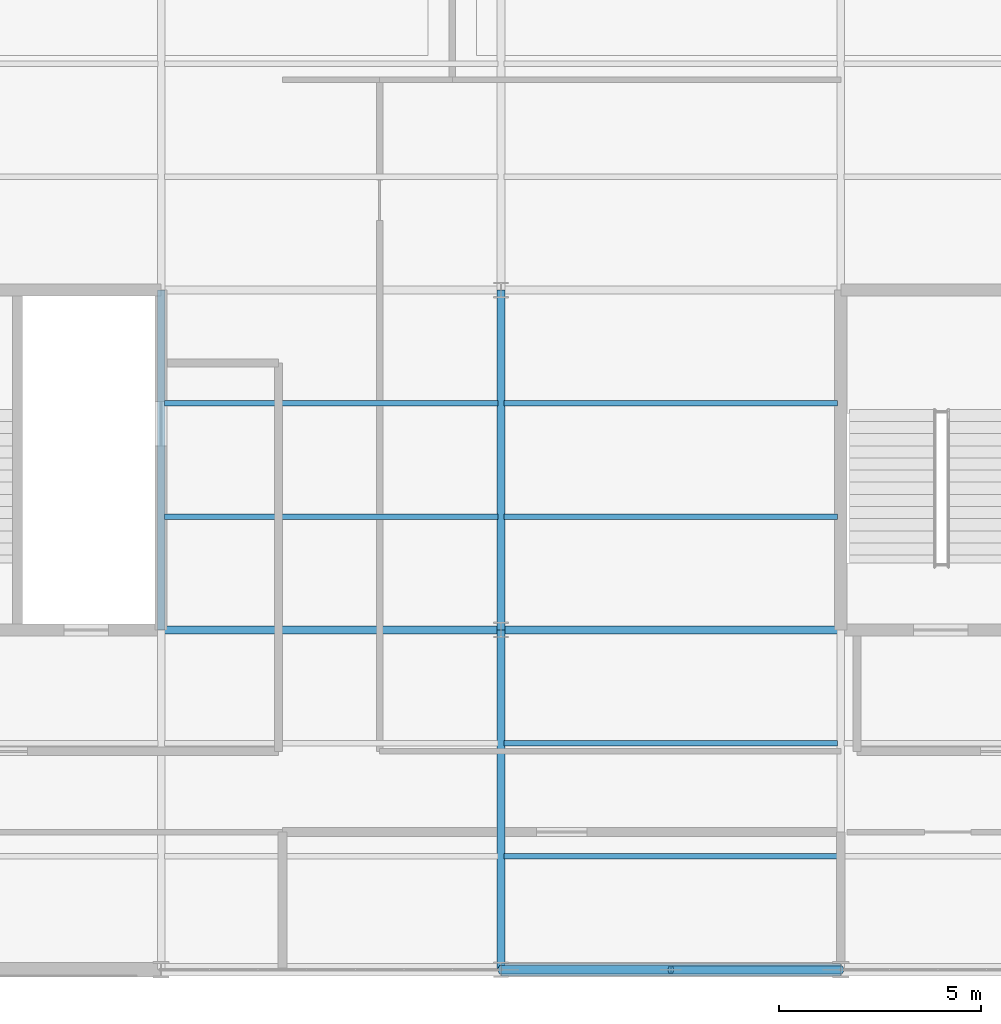
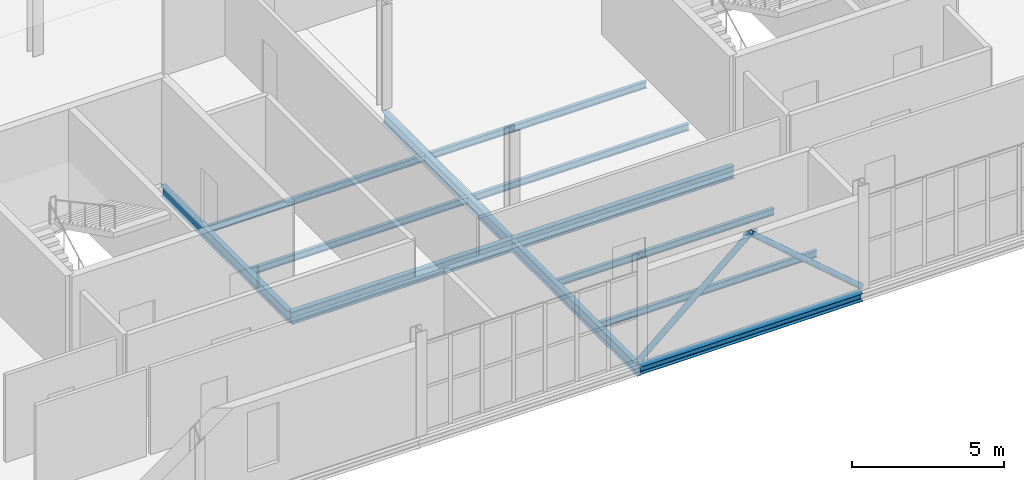
# One storey, part 26 of 184: 12 beams, 2 members.
"""IFC4 building model written with IfcOpenShell, lengths in metres."""

from ifc_helpers import new_model, si_unit, direction, frame, origin, origin_2d, place, context, subcontext, project, spatial, hollow_circle, i_section, extrude, material, material_profile, profile_set, type_object, element, save


model = new_model("IFC4")

# Units and contexts
model_context = context("Model", 3, precision=1e-05, world=origin(), true_north=direction((0.0, 1.0)))
body_context = subcontext(model_context, "Body", "Model", "MODEL_VIEW")
ifc_project = project(units=[si_unit("LENGTHUNIT", "METRE"), si_unit("AREAUNIT", "SQUARE_METRE"), si_unit("VOLUMEUNIT", "CUBIC_METRE"), si_unit("PLANEANGLEUNIT", "RADIAN"), si_unit("MASSUNIT", "GRAM", prefix="KILO")], contexts=[model_context])

# Site, building, storey
site_placement = place(None, origin())
site = spatial("IfcSite", under=ifc_project, at=site_placement, CompositionType="ELEMENT")
building_placement = place(site_placement, origin())
building = spatial("IfcBuilding", under=site, at=building_placement, Name="Qalvenar Corner Mobility Hub", CompositionType="ELEMENT")
storey_placement = place(building_placement, frame((0.0, 0.0, 9.0)))
storey = spatial("IfcBuildingStorey", under=building, at=storey_placement, Name="L02", CompositionType="ELEMENT", Elevation=9.0)

# Beams
ifc_material = material(Name="Steel S355", Category="steel")
ifc_material_profile_1 = material_profile(ifc_material, i_section(OverallWidth=0.18994140625, OverallDepth=0.449951171875, WebThickness=0.009521484375, FlangeThickness=0.0146484375, FilletRadius=0.02099609375, at=origin_2d()), Name="IPE450")
ifc_profile_set_1 = profile_set([ifc_material_profile_1], Name="Steel S355")
beam_type_1 = type_object("IfcBeamType", Name="BM-IPE450", PredefinedType="BEAM", material=ifc_profile_set_1)
beam_1_placement = place(storey_placement, frame((16.800048828125, 8.39990234375, -0.405029296875), z_axis=(0.0, 1.0, 0.0), x_axis=(-1.0, 0.0, 0.0)))
element("IfcBeam", 1, at=beam_1_placement, inside=storey, type_object=beam_type_1, Name="Primary Steel Girder GY-1588", PredefinedType="BEAM", context=body_context, shape_type="SweptSolid", body=[
    extrude(i_section(OverallWidth=0.18994140625, OverallDepth=0.449951171875, WebThickness=0.009521484375, FlangeThickness=0.0146484375, FilletRadius=0.02099609375, at=origin_2d()), origin(), (0.0, 0.0, 1.0), 8.400146484375),
])
beam_2_placement = place(storey_placement, frame((25.199951171875, 0.0, -0.405029296875), z_axis=(0.0, 1.0, 0.0), x_axis=(-1.0, 0.0, 0.0)))
element("IfcBeam", 2, at=beam_2_placement, inside=storey, type_object=beam_type_1, Name="Primary Steel Girder GY-1592", PredefinedType="BEAM", context=body_context, shape_type="SweptSolid", body=[
    extrude(i_section(OverallWidth=0.18994140625, OverallDepth=0.449951171875, WebThickness=0.009521484375, FlangeThickness=0.0146484375, FilletRadius=0.02099609375, at=origin_2d()), origin(), (0.0, 0.0, 1.0), 8.39990234375),
])
beam_3_placement = place(storey_placement, frame((25.199951171875, 8.39990234375, -0.405029296875), z_axis=(0.0, 1.0, 0.0), x_axis=(-1.0, 0.0, 0.0)))
element("IfcBeam", 3, at=beam_3_placement, inside=storey, type_object=beam_type_1, Name="Primary Steel Girder GY-1593", PredefinedType="BEAM", context=body_context, shape_type="SweptSolid", body=[
    extrude(i_section(OverallWidth=0.18994140625, OverallDepth=0.449951171875, WebThickness=0.009521484375, FlangeThickness=0.0146484375, FilletRadius=0.02099609375, at=origin_2d()), origin(), (0.0, 0.0, 1.0), 8.400146484375),
])
ifc_material_profile_2 = material_profile(ifc_material, i_section(OverallWidth=0.199951171875, OverallDepth=0.5, WebThickness=0.01025390625, FlangeThickness=0.01611328125, FilletRadius=0.02099609375, at=origin_2d()), Name="IPE500")
ifc_profile_set_2 = profile_set([ifc_material_profile_2], Name="Steel S355")
beam_type_2 = type_object("IfcBeamType", Name="BM-IPE500", PredefinedType="BEAM", material=ifc_profile_set_2)
beam_4_placement = place(storey_placement, frame((16.800048828125, 8.39990234375, -0.429931640625), z_axis=(1.0, 0.0, 0.0), x_axis=(0.0, 1.0, 0.0)))
element("IfcBeam", 4, at=beam_4_placement, inside=storey, type_object=beam_type_2, Name="Primary Steel Girder GX-1549", PredefinedType="BEAM", context=body_context, shape_type="SweptSolid", body=[
    extrude(i_section(OverallWidth=0.199951171875, OverallDepth=0.5, WebThickness=0.01025390625, FlangeThickness=0.01611328125, FilletRadius=0.02099609375, at=origin_2d()), origin(), (0.0, 0.0, 1.0), 8.39990234375),
])
beam_5_placement = place(storey_placement, frame((25.199951171875, 8.39990234375, -0.429931640625), z_axis=(1.0, 0.0, 0.0), x_axis=(0.0, 1.0, 0.0)))
element("IfcBeam", 5, at=beam_5_placement, inside=storey, type_object=beam_type_2, Name="Primary Steel Girder GX-1550", PredefinedType="BEAM", context=body_context, shape_type="SweptSolid", body=[
    extrude(i_section(OverallWidth=0.199951171875, OverallDepth=0.5, WebThickness=0.01025390625, FlangeThickness=0.01611328125, FilletRadius=0.02099609375, at=origin_2d()), origin(), (0.0, 0.0, 1.0), 8.400146484375),
])
ifc_material_profile_3 = material_profile(ifc_material, i_section(OverallWidth=0.135009765625, OverallDepth=0.27001953125, WebThickness=0.006591796875, FlangeThickness=0.01025390625, FilletRadius=0.014892578125, at=origin_2d()), Name="IPE270")
ifc_profile_set_3 = profile_set([ifc_material_profile_3], Name="Steel S355")
beam_type_3 = type_object("IfcBeamType", Name="BM-JST270", PredefinedType="JOIST", material=ifc_profile_set_3)
for number, where, z_axis, x_axis, name in (
    (6, (16.8779296875, 11.199951171875, -0.31494140625), (1.0, 0.0, 0.0), (0.0, 1.0, 0.0), "Composite Floor Joist J-1633"),
    (7, (16.8779296875, 14.0, -0.31494140625), (1.0, 0.0, 0.0), (0.0, 1.0, 0.0), "Composite Floor Joist J-1634"),
):
    element("IfcBeam", number, at=place(storey_placement, frame(where, z_axis=z_axis, x_axis=x_axis)), inside=storey, type_object=beam_type_3, Name=name, PredefinedType="JOIST", context=body_context, shape_type="SweptSolid", body=[
        extrude(i_section(OverallWidth=0.135009765625, OverallDepth=0.27001953125, WebThickness=0.006591796875, FlangeThickness=0.01025390625, FilletRadius=0.014892578125, at=origin_2d()), origin(), (0.0, 0.0, 1.0), 8.244140625),
    ])
for number, where, z_axis, x_axis, name in (
    (8, (25.278076171875, 2.800048828125, -0.31494140625), (1.0, 0.0, 0.0), (0.0, 1.0, 0.0), "Composite Floor Joist J-1641"),
    (9, (25.278076171875, 5.60009765625, -0.31494140625), (1.0, 0.0, 0.0), (0.0, 1.0, 0.0), "Composite Floor Joist J-1642"),
    (10, (25.278076171875, 11.199951171875, -0.31494140625), (1.0, 0.0, 0.0), (0.0, 1.0, 0.0), "Composite Floor Joist J-1643"),
    (11, (25.278076171875, 14.0, -0.31494140625), (1.0, 0.0, 0.0), (0.0, 1.0, 0.0), "Composite Floor Joist J-1644"),
):
    element("IfcBeam", number, at=place(storey_placement, frame(where, z_axis=z_axis, x_axis=x_axis)), inside=storey, type_object=beam_type_3, Name=name, PredefinedType="JOIST", context=body_context, shape_type="SweptSolid", body=[
        extrude(i_section(OverallWidth=0.135009765625, OverallDepth=0.27001953125, WebThickness=0.006591796875, FlangeThickness=0.01025390625, FilletRadius=0.014892578125, at=origin_2d()), origin(), (0.0, 0.0, 1.0), 8.243896484375),
    ])
ifc_material_profile_4 = material_profile(ifc_material, i_section(OverallWidth=0.300048828125, OverallDepth=0.31005859375, WebThickness=0.009033203125, FlangeThickness=0.015380859375, FilletRadius=0.027099609375, at=origin_2d()), Name="HEA320")
ifc_profile_set_4 = profile_set([ifc_material_profile_4], Name="Steel S355")
beam_type_4 = type_object("IfcBeamType", Name="BM-SPN320", PredefinedType="SPANDREL", material=ifc_profile_set_4)
beam_6_placement = place(storey_placement, frame((25.199951171875, 0.0, -0.3349609375), z_axis=(1.0, 0.0, 0.0), x_axis=(0.0, 1.0, 0.0)))
element("IfcBeam", 12, at=beam_6_placement, inside=storey, type_object=beam_type_4, Name="Primary Steel Girder GX-1544", PredefinedType="SPANDREL", context=body_context, shape_type="SweptSolid", body=[
    extrude(i_section(OverallWidth=0.300048828125, OverallDepth=0.31005859375, WebThickness=0.009033203125, FlangeThickness=0.015380859375, FilletRadius=0.027099609375, at=origin_2d()), origin(), (0.0, 0.0, 1.0), 8.400146484375),
])

# Members
ifc_material_profile_5 = material_profile(ifc_material, hollow_circle(Radius=0.109619140625, WallThickness=0.010009765625, at=origin_2d()), Name="CHS219.1x10")
ifc_profile_set_5 = profile_set([ifc_material_profile_5], Name="Steel S355")
member_type = type_object("IfcMemberType", Name="BR-CHS219", PredefinedType="BRACE", material=ifc_profile_set_5)
member_1_placement = place(storey_placement, frame((25.199951171875, 0.0, 0.02001953125), z_axis=(0.757479038629, 0.0, 0.652859484145), x_axis=(0.0, 1.0, 0.0)))
element("IfcMember", 13, at=member_1_placement, inside=storey, type_object=member_type, Name="Chevron Lateral Brace BR-005", PredefinedType="BRACE", context=body_context, shape_type="SweptSolid", body=[
    extrude(hollow_circle(Radius=0.109619140625, WallThickness=0.010009765625, at=origin_2d()), origin(), (0.0, 0.0, 1.0), 5.544677734375),
])
member_2_placement = place(storey_placement, frame((33.60009765625, 0.0, 0.02001953125), z_axis=(-0.757497805166, 0.0, 0.652837709672), x_axis=(0.0, -1.0, 0.0)))
element("IfcMember", 14, at=member_2_placement, inside=storey, type_object=member_type, Name="Chevron Lateral Brace BR-006", PredefinedType="BRACE", context=body_context, shape_type="SweptSolid", body=[
    extrude(hollow_circle(Radius=0.109619140625, WallThickness=0.010009765625, at=origin_2d()), origin(), (0.0, 0.0, 1.0), 5.544921875),
])

save(model, "model.ifc")
